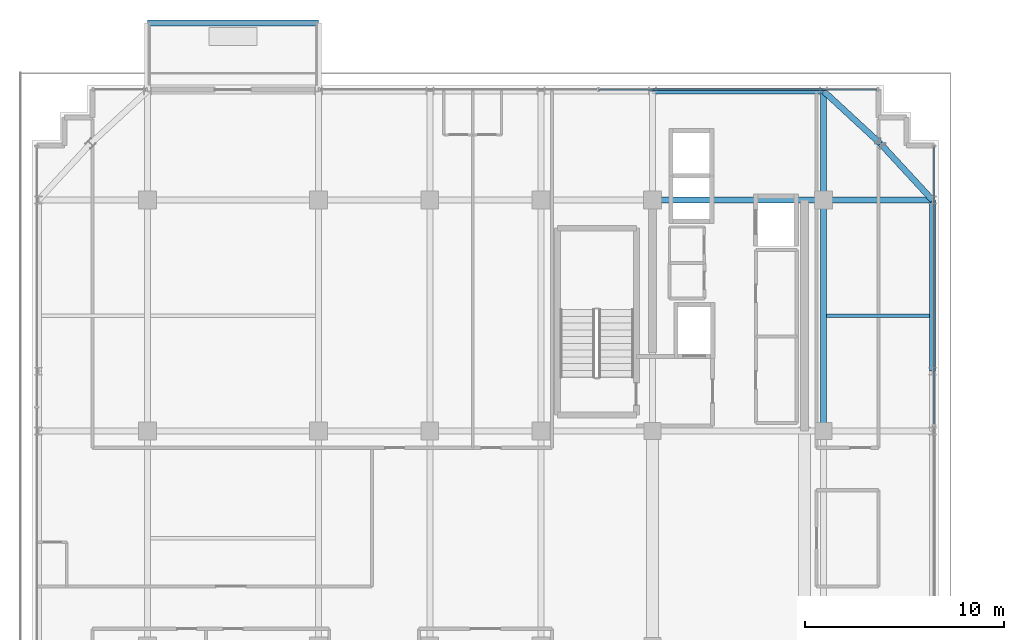
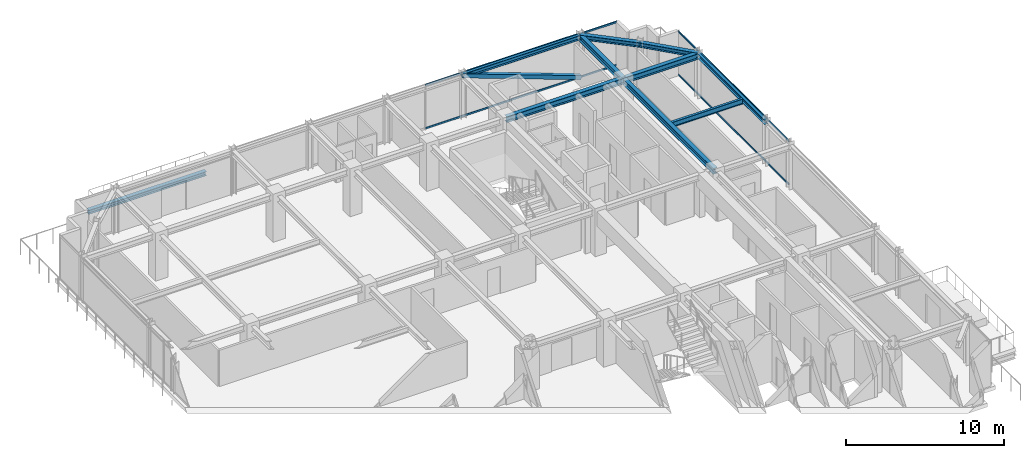
# One storey, part 21 of 32: 10 beams, 5 members, 2 elements without a shape of their own.
"""IFC4 building model written with IfcOpenShell, lengths in metres."""

from ifc_helpers import new_model, si_unit, direction, frame, origin, origin_2d, place, context, subcontext, project, spatial, hollow_rectangle, i_section, extrude, source, transform, mapped, material, material_profile, profile_set, type_object, element, aggregate, save


model = new_model("IFC4")

# Units and contexts
model_context = context("Model", 3, precision=1e-05, world=origin(), true_north=direction((0.0, 1.0)))
body_context = subcontext(model_context, "Body", "Model", "MODEL_VIEW")
ifc_project = project(units=[si_unit("LENGTHUNIT", "METRE"), si_unit("AREAUNIT", "SQUARE_METRE"), si_unit("VOLUMEUNIT", "CUBIC_METRE"), si_unit("PLANEANGLEUNIT", "RADIAN"), si_unit("MASSUNIT", "GRAM", prefix="KILO")], contexts=[model_context])

# Site, building, storey
site_placement = place(None, origin())
site = spatial("IfcSite", under=ifc_project, at=site_placement, CompositionType="ELEMENT")
building_placement = place(site_placement, origin())
building = spatial("IfcBuilding", under=site, at=building_placement, Name="Nahalor Promenade Grand Hotel", CompositionType="ELEMENT")
storey_placement = place(building_placement, frame((0.0, 0.0, 266.300048828125)))
storey = spatial("IfcBuildingStorey", under=building, at=storey_placement, Name="L68", CompositionType="ELEMENT", Elevation=266.300048828125)

# Beams
ifc_material_1 = material(Name="Steel S355JR", Category="steel")
ifc_material_profile_1 = material_profile(ifc_material_1, i_section(OverallWidth=0.3, OverallDepth=0.32, WebThickness=0.0115, FlangeThickness=0.0205, at=origin_2d()), Name="HEB 320")
ifc_profile_set_1 = profile_set([ifc_material_profile_1], Name="Steel S355JR")
beam_type_1 = type_object("IfcBeamType", Name="Beam-BalcEdge-HEB320", PredefinedType="SPANDREL", material=ifc_profile_set_1)
shared_shape_1 = source(origin(), body_context, "Body", "SweptSolid", [
    extrude(i_section(OverallWidth=0.3, OverallDepth=0.32, WebThickness=0.0115, FlangeThickness=0.0205, at=origin_2d()), origin(), (0.0, 0.0, 1.0), 8.60009765625),
])
beam_1_placement = place(storey_placement, frame((-17.0, 25.909912109375, -0.43994140625), z_axis=(1.0, 0.0, 0.0), x_axis=(0.0, 1.0, 0.0)))
element("IfcBeam", 1, at=beam_1_placement, inside=storey, type_object=beam_type_1, Name="BM-L68-BC-01-F", PredefinedType="SPANDREL", context=body_context, shape_type="MappedRepresentation", body=[
    mapped(shared_shape_1, transform((0.0, 0.0, 0.0), scale=1.0)),
])
ifc_material_profile_2 = material_profile(ifc_material_1, i_section(OverallWidth=0.3, OverallDepth=0.45, WebThickness=0.014, FlangeThickness=0.026, at=origin_2d()), Name="HEB 450")
ifc_profile_set_2 = profile_set([ifc_material_profile_2], Name="Steel S355JR")
beam_type_2 = type_object("IfcBeamType", Name="Beam-Girder-HEB450", PredefinedType="BEAM", material=ifc_profile_set_2)
shared_shape_2 = source(origin(), body_context, "Body", "SweptSolid", [
    extrude(i_section(OverallWidth=0.3, OverallDepth=0.45, WebThickness=0.014, FlangeThickness=0.026, at=origin_2d()), origin(), (0.0, 0.0, 1.0), 8.60009765625),
])
beam_2_placement = place(storey_placement, frame((8.39990234375, 17.0, 3.224853515625), z_axis=(1.0, 0.0, 0.0), x_axis=(0.0, 1.0, 0.0)))
element("IfcBeam", 2, at=beam_2_placement, inside=storey, type_object=beam_type_2, Name="BM-L68-GX-3-5", PredefinedType="BEAM", context=body_context, shape_type="MappedRepresentation", body=[
    mapped(shared_shape_2, transform((0.0, 0.0, 0.0), scale=1.0)),
])
shared_shape_3 = source(origin(), body_context, "Body", "SweptSolid", [
    extrude(i_section(OverallWidth=0.3, OverallDepth=0.45, WebThickness=0.014, FlangeThickness=0.026, at=origin_2d()), origin(), (0.0, 0.0, 1.0), 11.60009765625),
])
beam_3_placement = place(storey_placement, frame((17.0, 5.39990234375, 3.224853515625), z_axis=(0.0, 1.0, 0.0), x_axis=(-1.0, 0.0, 0.0)))
element("IfcBeam", 3, at=beam_3_placement, inside=storey, type_object=beam_type_2, Name="BM-L68-GY-5-3", PredefinedType="BEAM", context=body_context, shape_type="MappedRepresentation", body=[
    mapped(shared_shape_3, transform((0.0, 0.0, 0.0), scale=1.0)),
])
shared_shape_4 = source(origin(), body_context, "Body", "SweptSolid", [
    extrude(i_section(OverallWidth=0.3, OverallDepth=0.45, WebThickness=0.014, FlangeThickness=0.026, at=origin_2d()), origin(), (0.0, 0.0, 1.0), 5.47998046875),
])
for number, where, z_axis, x_axis, name in (
    (4, (17.0, 17.0, 3.224853515625), (1.0, 0.0, 0.0), (0.0, 1.0, 0.0), "BM-L68-GX-3-6"),
    (5, (17.0, 17.0, 3.224853515625), (0.0, 1.0, 0.0), (-1.0, 0.0, 0.0), "BM-L68-GY-5-4"),
):
    element("IfcBeam", number, at=place(storey_placement, frame(where, z_axis=z_axis, x_axis=x_axis)), inside=storey, type_object=beam_type_2, Name=name, PredefinedType="BEAM", context=body_context, shape_type="MappedRepresentation", body=[
        mapped(shared_shape_4, transform((0.0, 0.0, 0.0), scale=1.0)),
    ])
ifc_material_profile_3 = material_profile(ifc_material_1, i_section(OverallWidth=0.18, OverallDepth=0.4, WebThickness=0.0086, FlangeThickness=0.0135, at=origin_2d()), Name="IPE 400")
ifc_profile_set_3 = profile_set([ifc_material_profile_3], Name="Steel S355JR")
beam_type_3 = type_object("IfcBeamType", Name="Beam-Joist-IPE400", PredefinedType="JOIST", material=ifc_profile_set_3)
shared_shape_5 = source(origin(), body_context, "Body", "SweptSolid", [
    extrude(i_section(OverallWidth=0.18, OverallDepth=0.4, WebThickness=0.0086, FlangeThickness=0.0135, at=origin_2d()), origin(), (0.0, 0.0, 1.0), 5.18017578125),
])
beam_4_placement = place(storey_placement, frame((17.14990234375, 11.199951171875, 3.25), z_axis=(1.0, 0.0, 0.0), x_axis=(0.0, 1.0, 0.0)))
element("IfcBeam", 6, at=beam_4_placement, inside=storey, type_object=beam_type_3, Name="BM-L68-JSE-1-2", PredefinedType="JOIST", context=body_context, shape_type="MappedRepresentation", body=[
    mapped(shared_shape_5, transform((0.0, 0.0, 0.0), scale=1.0)),
])
ifc_material_profile_4 = material_profile(ifc_material_1, i_section(OverallWidth=0.3, OverallDepth=0.36, WebThickness=0.0125, FlangeThickness=0.0225, at=origin_2d()), Name="HEB 360")
ifc_profile_set_4 = profile_set([ifc_material_profile_4], Name="Steel S355JR")
beam_type_4 = type_object("IfcBeamType", Name="Beam-Spandrel-HEB360", PredefinedType="SPANDREL", material=ifc_profile_set_4)
shared_shape_6 = source(origin(), body_context, "Body", "SweptSolid", [
    extrude(i_section(OverallWidth=0.3, OverallDepth=0.36, WebThickness=0.0125, FlangeThickness=0.0225, at=origin_2d()), origin(), (0.0, 0.0, 1.0), 8.60009765625),
])
for number, where, z_axis, x_axis, name in (
    (7, (8.39990234375, 22.47998046875, 3.27001953125), (1.0, 0.0, 0.0), (0.0, 1.0, 0.0), "BM-L68-SP-N-4"),
    (8, (22.47998046875, 8.39990234375, 3.27001953125), (0.0, 1.0, 0.0), (-1.0, 0.0, 0.0), "BM-L68-SP-E-4"),
):
    element("IfcBeam", number, at=place(storey_placement, frame(where, z_axis=z_axis, x_axis=x_axis)), inside=storey, type_object=beam_type_4, Name=name, PredefinedType="SPANDREL", context=body_context, shape_type="MappedRepresentation", body=[
        mapped(shared_shape_6, transform((0.0, 0.0, 0.0), scale=1.0)),
    ])
shared_shape_7 = source(origin(), body_context, "Body", "SweptSolid", [
    extrude(i_section(OverallWidth=0.3, OverallDepth=0.36, WebThickness=0.0125, FlangeThickness=0.0225, at=origin_2d()), origin(), (0.0, 0.0, 1.0), 3.878173828125),
])
for number, where, z_axis, x_axis, name in (
    (9, (17.0, 22.47998046875, 3.27001953125), (0.73492893846, -0.678144125843, 0.0), (0.678144125843, 0.73492893846, 0.0), "BM-L68-SPC-NE-1"),
    (10, (19.85009765625, 19.85009765625, 3.27001953125), (0.678144125843, -0.73492893846, 0.0), (0.73492893846, 0.678144125843, 0.0), "BM-L68-SPC-NE-2"),
):
    element("IfcBeam", number, at=place(storey_placement, frame(where, z_axis=z_axis, x_axis=x_axis)), inside=storey, type_object=beam_type_4, Name=name, PredefinedType="SPANDREL", context=body_context, shape_type="MappedRepresentation", body=[
        mapped(shared_shape_7, transform((0.0, 0.0, 0.0), scale=1.0)),
    ])

# Member
ifc_material_profile_5 = material_profile(ifc_material_1, hollow_rectangle(XDim=0.3, YDim=0.3, WallThickness=0.016, at=origin_2d()), Name="SHS 300x300x16")
ifc_profile_set_5 = profile_set([ifc_material_profile_5], Name="Steel S355JR")
member_type_1 = type_object("IfcMemberType", Name="Mem-CrownBrace-SHS300", PredefinedType="BRACE", material=ifc_profile_set_5)
shared_shape_8 = source(origin(), body_context, "Body", "SweptSolid", [
    extrude(hollow_rectangle(XDim=0.3, YDim=0.3, WallThickness=0.016, at=origin_2d()), origin(), (0.0, 0.0, 1.0), 9.158935546875),
])
member_1_placement = place(storey_placement, frame((17.0, 22.47998046875, 0.14990234375), z_axis=(-0.938989990654, 0.0, 0.343944468558), x_axis=(0.0, -1.0, 0.0)))
element("IfcMember", 11, at=member_1_placement, inside=storey, type_object=member_type_1, Name="EXO-L68-N-1", PredefinedType="BRACE", context=body_context, shape_type="MappedRepresentation", body=[
    mapped(shared_shape_8, transform((0.0, 0.0, 0.0), scale=1.0)),
])

# Curtain wall, members
ifc_material_2 = material(Name="Anodised Bronze Aluminium EN AW-6063 T6", Category="aluminium")
curtain_wall_type = type_object("IfcCurtainWallType", Name="CW2 Typical Hotel Flush Bronze Unitised Curtain Wall", PredefinedType="USERDEFINED", material=ifc_material_2)
curtain_wall_1_placement = place(storey_placement, origin())
curtain_wall_1 = element("IfcCurtainWall", 12, at=curtain_wall_1_placement, inside=storey, type_object=curtain_wall_type, Name="L68 Curtain Wall CW-L68-N-3", ObjectType="UNITISED_CURTAIN_WALL", PredefinedType="USERDEFINED")
ifc_material_profile_6 = material_profile(ifc_material_2, hollow_rectangle(XDim=0.065, YDim=0.13, WallThickness=0.004, at=origin_2d()), Name="CWT 65x130x4")
ifc_profile_set_6 = profile_set([ifc_material_profile_6], Name="Anodised Bronze Aluminium EN AW-6063 T6")
member_type_2 = type_object("IfcMemberType", Name="CWT2 Typical Bronze Transom 65x130", PredefinedType="USERDEFINED", material=ifc_profile_set_6)
shared_shape_9 = source(origin(), body_context, "Body", "SweptSolid", [
    extrude(hollow_rectangle(XDim=0.065, YDim=0.13, WallThickness=0.004, at=origin_2d()), origin(), (0.0, 0.0, 1.0), 13.982666015625),
])
member_2_placement = place(storey_placement, frame((5.71240234375, 22.56005859375, 0.06494140625), z_axis=(1.0, 0.0, 0.0), x_axis=(0.0, 1.0, 0.0)))
member_2 = element("IfcMember", 13, at=member_2_placement, type_object=member_type_2, Name="CW-L68-N-3 Transom 1-0", ObjectType="TRANSOM", PredefinedType="USERDEFINED", context=body_context, shape_type="MappedRepresentation", body=[
    mapped(shared_shape_9, transform((0.0, 0.0, 0.0), scale=1.0)),
])
member_3_placement = place(storey_placement, frame((5.71240234375, 22.56005859375, 3.385009765625), z_axis=(1.0, 0.0, 0.0), x_axis=(0.0, 1.0, 0.0)))
member_3 = element("IfcMember", 14, at=member_3_placement, type_object=member_type_2, Name="CW-L68-N-3 Transom 1-1", ObjectType="TRANSOM", PredefinedType="USERDEFINED", context=body_context, shape_type="MappedRepresentation", body=[
    mapped(shared_shape_9, transform((0.0, 0.0, 0.0), scale=1.0)),
])
aggregate(curtain_wall_1, [member_2, member_3])

curtain_wall_2_placement = place(storey_placement, origin())
curtain_wall_2 = element("IfcCurtainWall", 15, at=curtain_wall_2_placement, inside=storey, type_object=curtain_wall_type, Name="L68 Curtain Wall CW-L68-E-3", ObjectType="UNITISED_CURTAIN_WALL", PredefinedType="USERDEFINED")
member_4_placement = place(storey_placement, frame((22.56005859375, 5.71240234375, 0.06494140625), z_axis=(0.0, 1.0, 0.0), x_axis=(-1.0, 0.0, 0.0)))
member_4 = element("IfcMember", 16, at=member_4_placement, type_object=member_type_2, Name="CW-L68-E-3 Transom 1-0", ObjectType="TRANSOM", PredefinedType="USERDEFINED", context=body_context, shape_type="MappedRepresentation", body=[
    mapped(shared_shape_9, transform((0.0, 0.0, 0.0), scale=1.0)),
])
member_5_placement = place(storey_placement, frame((22.56005859375, 5.71240234375, 3.385009765625), z_axis=(0.0, 1.0, 0.0), x_axis=(-1.0, 0.0, 0.0)))
member_5 = element("IfcMember", 17, at=member_5_placement, type_object=member_type_2, Name="CW-L68-E-3 Transom 1-1", ObjectType="TRANSOM", PredefinedType="USERDEFINED", context=body_context, shape_type="MappedRepresentation", body=[
    mapped(shared_shape_9, transform((0.0, 0.0, 0.0), scale=1.0)),
])
aggregate(curtain_wall_2, [member_4, member_5])

save(model, "model.ifc")
